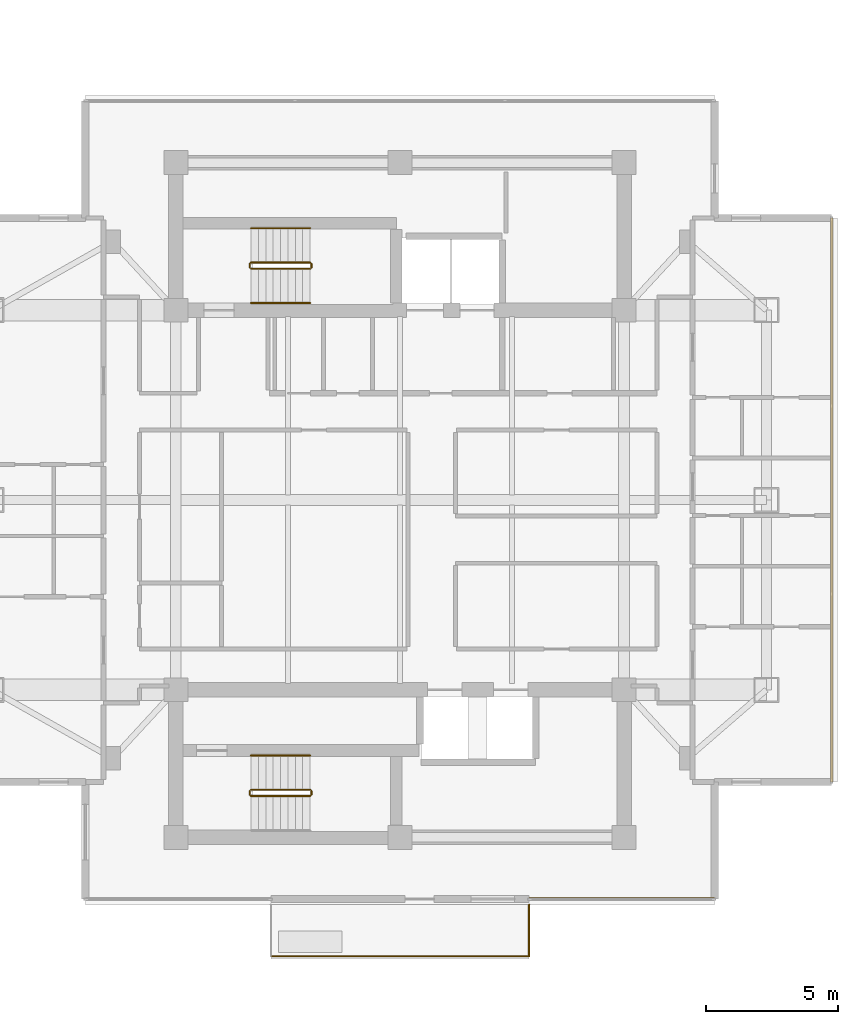
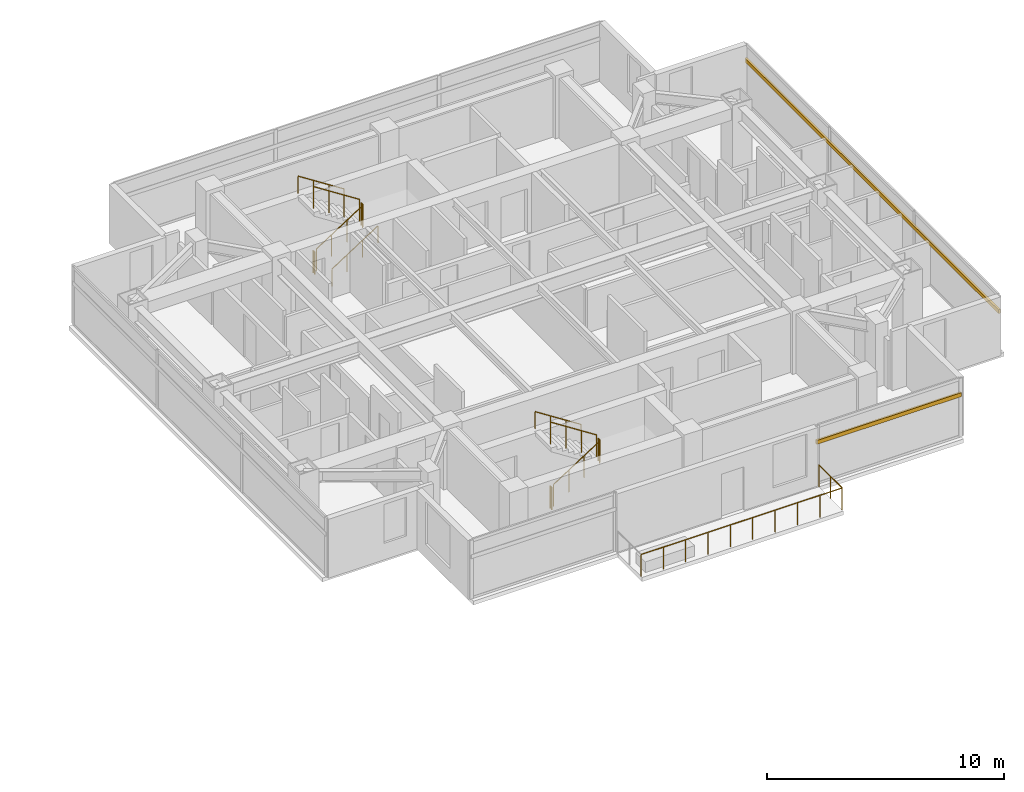
# One storey, part 22 of 23: 13 railings, 2 shading devices.
"""IFC4 building model written with IfcOpenShell, lengths in metres."""

from ifc_helpers import new_model, si_unit, direction, frame, origin, origin_2d, place, context, subcontext, project, spatial, rectangle, circle, extrude, material, material_profile, profile_set, type_object, element, save


model = new_model("IFC4")

# Units and contexts
model_context = context("Model", 3, precision=1e-05, world=origin(), true_north=direction((0.0, 1.0)))
body_context = subcontext(model_context, "Body", "Model", "MODEL_VIEW")
ifc_project = project(units=[si_unit("LENGTHUNIT", "METRE"), si_unit("AREAUNIT", "SQUARE_METRE"), si_unit("VOLUMEUNIT", "CUBIC_METRE"), si_unit("PLANEANGLEUNIT", "RADIAN"), si_unit("MASSUNIT", "GRAM", prefix="KILO")], contexts=[model_context])

# Site, building, storey
site_placement = place(None, origin())
site = spatial("IfcSite", under=ifc_project, at=site_placement, CompositionType="ELEMENT")
building_placement = place(site_placement, origin())
building = spatial("IfcBuilding", under=site, at=building_placement, Name="Mirazonda Arch Towers", CompositionType="ELEMENT")
storey_placement = place(building_placement, frame((0.0, 0.0, 183.64990234375)))
storey = spatial("IfcBuildingStorey", under=building, at=storey_placement, Name="L52", CompositionType="ELEMENT", Elevation=183.64990234375)

# Shading devices
ifc_material_1 = material(Name="Kiln-Fired Architectural Terracotta", Category="masonry")
ifc_material_profile = material_profile(ifc_material_1, rectangle(XDim=0.10009765625, YDim=0.199951171875, at=origin_2d()), Name="TERRA-BAG-100x200")
ifc_profile_set = profile_set([ifc_material_profile], Name="Kiln-Fired Architectural Terracotta")
shading_device_type = type_object("IfcShadingDeviceType", Name="BAGUETTE-2", PredefinedType="USERDEFINED", material=ifc_profile_set)
shading_device_1_placement = place(storey_placement, frame((88.437744140625, 12.861572265625, 2.181640625), z_axis=(-1.0, 0.0, 0.0), x_axis=(0.0, -1.0, 0.0)))
element("IfcShadingDevice", 1, at=shading_device_1_placement, inside=storey, type_object=shading_device_type, Name="L52 Glazed Terracotta Sun-Screen Baguette CW-L52-T2-SA", ObjectType="BAGUETTE", PredefinedType="USERDEFINED", context=body_context, shape_type="SweptSolid", body=[
    extrude(rectangle(XDim=0.10009765625, YDim=0.199951171875, at=origin_2d()), origin(), (0.0, 0.0, 1.0), 7.0478515625),
])
shading_device_2_placement = place(storey_placement, frame((92.87744140625, 17.30126953125, 2.181640625), z_axis=(0.0, 1.0, 0.0), x_axis=(-1.0, 0.0, 0.0)))
element("IfcShadingDevice", 2, at=shading_device_2_placement, inside=storey, type_object=shading_device_type, Name="L52 Glazed Terracotta Sun-Screen Baguette CW-L52-T2-E", ObjectType="BAGUETTE", PredefinedType="USERDEFINED", context=body_context, shape_type="SweptSolid", body=[
    extrude(rectangle(XDim=0.10009765625, YDim=0.199951171875, at=origin_2d()), origin(), (0.0, 0.0, 1.0), 21.3974609375),
])

# Railings
ifc_material_2 = material(Name="Architectural Brushed Steel S355", Category="steel")
railing_type_1 = type_object("IfcRailingType", Name="GUARD-EXT-1150", PredefinedType="GUARDRAIL", material=ifc_material_2)
railing_1_placement = place(storey_placement, frame((81.39990234375, 12.651611328125, 0.0)))
element("IfcRailing", 3, at=railing_1_placement, inside=storey, type_object=railing_type_1, Name="L52 T2 Sky-Terrace Guard 01", PredefinedType="GUARDRAIL", context=body_context, shape_type="SweptSolid", body=[
    extrude(circle(Radius=0.02392578125, at=origin_2d()), frame((0.0, 0.0, 1.1259765625), z_axis=(0.0, -1.0, 0.0), x_axis=(1.0, 0.0, 0.0)), (0.0, 0.0, 1.0), 1.960205078125),
    extrude(circle(Radius=0.02099609375, at=origin_2d()), origin(), (0.0, 0.0, 1.0), 1.101806640625),
    extrude(circle(Radius=0.02099609375, at=origin_2d()), frame((0.0, -0.97998046875, 0.0)), (0.0, 0.0, 1.0), 1.101806640625),
    extrude(circle(Radius=0.02099609375, at=origin_2d()), frame((0.0, -1.960205078125, 0.0)), (0.0, 0.0, 1.0), 1.101806640625),
])
railing_2_placement = place(storey_placement, frame((81.39990234375, 10.69140625, 0.0)))
element("IfcRailing", 4, at=railing_2_placement, inside=storey, type_object=railing_type_1, Name="L52 T2 Sky-Terrace Guard 02", PredefinedType="GUARDRAIL", context=body_context, shape_type="SweptSolid", body=[
    extrude(circle(Radius=0.02392578125, at=origin_2d()), frame((0.0, 0.0, 1.1259765625), z_axis=(-1.0, 0.0, 0.0), x_axis=(0.0, -1.0, 0.0)), (0.0, 0.0, 1.0), 9.7998046875),
    extrude(circle(Radius=0.02099609375, at=origin_2d()), origin(), (0.0, 0.0, 1.0), 1.101806640625),
    extrude(circle(Radius=0.02099609375, at=origin_2d()), frame((-1.0888671875, 0.0, 0.0)), (0.0, 0.0, 1.0), 1.101806640625),
    extrude(circle(Radius=0.02099609375, at=origin_2d()), frame((-2.177734375, 0.0, 0.0)), (0.0, 0.0, 1.0), 1.101806640625),
    extrude(circle(Radius=0.02099609375, at=origin_2d()), frame((-3.2666015625, 0.0, 0.0)), (0.0, 0.0, 1.0), 1.101806640625),
    extrude(circle(Radius=0.02099609375, at=origin_2d()), frame((-4.35546875, 0.0, 0.0)), (0.0, 0.0, 1.0), 1.101806640625),
    extrude(circle(Radius=0.02099609375, at=origin_2d()), frame((-5.4443359375, 0.0, 0.0)), (0.0, 0.0, 1.0), 1.101806640625),
    extrude(circle(Radius=0.02099609375, at=origin_2d()), frame((-6.533203125, 0.0, 0.0)), (0.0, 0.0, 1.0), 1.101806640625),
    extrude(circle(Radius=0.02099609375, at=origin_2d()), frame((-7.6220703125, 0.0, 0.0)), (0.0, 0.0, 1.0), 1.101806640625),
    extrude(circle(Radius=0.02099609375, at=origin_2d()), frame((-8.7109375, 0.0, 0.0)), (0.0, 0.0, 1.0), 1.101806640625),
    extrude(circle(Radius=0.02099609375, at=origin_2d()), frame((-9.7998046875, 0.0, 0.0)), (0.0, 0.0, 1.0), 1.101806640625),
])
railing_type_2 = type_object("IfcRailingType", Name="GUARD-STAIR-1120", PredefinedType="GUARDRAIL", material=ifc_material_2)
railing_3_placement = place(storey_placement, frame((70.85009765625, 36.77001953125, 0.1806640625)))
element("IfcRailing", 5, at=railing_3_placement, inside=storey, type_object=railing_type_2, Name="L52 ST-T2N stair guard 1", PredefinedType="GUARDRAIL", context=body_context, shape_type="SweptSolid", body=[
    extrude(circle(Radius=0.02392578125, at=origin_2d()), frame((0.0, 0.0, 1.1259765625), z_axis=(0.840436612492, 0.0, 0.541909863706), x_axis=(0.0, 1.0, 0.0)), (0.0, 0.0, 1.0), 2.665283203125),
    extrude(circle(Radius=0.02099609375, at=origin_2d()), origin(), (0.0, 0.0, 1.0), 1.101806640625),
    extrude(circle(Radius=0.02099609375, at=origin_2d()), frame((0.74658203125, 0.0, 0.4814453125)), (0.0, 0.0, 1.0), 1.101806640625),
    extrude(circle(Radius=0.02099609375, at=origin_2d()), frame((1.493408203125, 0.0, 0.962890625)), (0.0, 0.0, 1.0), 1.101806640625),
    extrude(circle(Radius=0.02099609375, at=origin_2d()), frame((2.239990234375, 0.0, 1.4443359375)), (0.0, 0.0, 1.0), 1.101806640625),
])
railing_4_placement = place(storey_placement, frame((73.139892578125, 36.820068359375, 1.625)))
element("IfcRailing", 6, at=railing_4_placement, inside=storey, type_object=railing_type_2, Name="L52 ST-T2N stair guard 2", PredefinedType="GUARDRAIL", context=body_context, shape_type="SweptSolid", body=[
    extrude(circle(Radius=0.02392578125, at=origin_2d()), frame((0.0, 0.0, 1.1259765625), z_axis=(0.0, 1.0, 0.0), x_axis=(-1.0, 0.0, 0.0)), (0.0, 0.0, 1.0), 0.139892578125),
    extrude(circle(Radius=0.02099609375, at=origin_2d()), origin(), (0.0, 0.0, 1.0), 1.101806640625),
    extrude(circle(Radius=0.02099609375, at=origin_2d()), frame((0.0, 0.139892578125, 0.0)), (0.0, 0.0, 1.0), 1.101806640625),
])
railing_5_placement = place(storey_placement, frame((73.090087890625, 37.010009765625, 1.8056640625)))
element("IfcRailing", 7, at=railing_5_placement, inside=storey, type_object=railing_type_2, Name="L52 ST-T2N stair guard 3", PredefinedType="GUARDRAIL", context=body_context, shape_type="SweptSolid", body=[
    extrude(circle(Radius=0.02392578125, at=origin_2d()), frame((0.0, 0.0, 1.1259765625), z_axis=(-0.840436612492, 0.0, 0.541909863706), x_axis=(0.0, -1.0, 0.0)), (0.0, 0.0, 1.0), 2.665283203125),
    extrude(circle(Radius=0.02099609375, at=origin_2d()), origin(), (0.0, 0.0, 1.0), 1.101806640625),
    extrude(circle(Radius=0.02099609375, at=origin_2d()), frame((-0.74658203125, 0.0, 0.4814453125)), (0.0, 0.0, 1.0), 1.101806640625),
    extrude(circle(Radius=0.02099609375, at=origin_2d()), frame((-1.493408203125, 0.0, 0.962890625)), (0.0, 0.0, 1.0), 1.101806640625),
    extrude(circle(Radius=0.02099609375, at=origin_2d()), frame((-2.239990234375, 0.0, 1.4443359375)), (0.0, 0.0, 1.0), 1.101806640625),
])
railing_6_placement = place(storey_placement, frame((70.800048828125, 36.820068359375, 0.0)))
element("IfcRailing", 8, at=railing_6_placement, inside=storey, type_object=railing_type_2, Name="L52 ST-T2N stair guard 4", PredefinedType="GUARDRAIL", context=body_context, shape_type="SweptSolid", body=[
    extrude(circle(Radius=0.02392578125, at=origin_2d()), frame((0.0, 0.0, 1.1259765625), z_axis=(0.0, 1.0, 0.0), x_axis=(-1.0, 0.0, 0.0)), (0.0, 0.0, 1.0), 0.139892578125),
    extrude(circle(Radius=0.02099609375, at=origin_2d()), origin(), (0.0, 0.0, 1.0), 1.101806640625),
    extrude(circle(Radius=0.02099609375, at=origin_2d()), frame((0.0, 0.139892578125, 0.0)), (0.0, 0.0, 1.0), 1.101806640625),
])
railing_7_placement = place(storey_placement, frame((70.85009765625, 16.77001953125, 0.1806640625)))
element("IfcRailing", 9, at=railing_7_placement, inside=storey, type_object=railing_type_2, Name="L52 ST-T2S stair guard 1", PredefinedType="GUARDRAIL", context=body_context, shape_type="SweptSolid", body=[
    extrude(circle(Radius=0.02392578125, at=origin_2d()), frame((0.0, 0.0, 1.1259765625), z_axis=(0.840436612492, 0.0, 0.541909863706), x_axis=(0.0, 1.0, 0.0)), (0.0, 0.0, 1.0), 2.665283203125),
    extrude(circle(Radius=0.02099609375, at=origin_2d()), origin(), (0.0, 0.0, 1.0), 1.101806640625),
    extrude(circle(Radius=0.02099609375, at=origin_2d()), frame((0.74658203125, 0.0, 0.4814453125)), (0.0, 0.0, 1.0), 1.101806640625),
    extrude(circle(Radius=0.02099609375, at=origin_2d()), frame((1.493408203125, 0.0, 0.962890625)), (0.0, 0.0, 1.0), 1.101806640625),
    extrude(circle(Radius=0.02099609375, at=origin_2d()), frame((2.239990234375, 0.0, 1.4443359375)), (0.0, 0.0, 1.0), 1.101806640625),
])
railing_8_placement = place(storey_placement, frame((73.139892578125, 16.820068359375, 1.625)))
element("IfcRailing", 10, at=railing_8_placement, inside=storey, type_object=railing_type_2, Name="L52 ST-T2S stair guard 2", PredefinedType="GUARDRAIL", context=body_context, shape_type="SweptSolid", body=[
    extrude(circle(Radius=0.02392578125, at=origin_2d()), frame((0.0, 0.0, 1.1259765625), z_axis=(0.0, 1.0, 0.0), x_axis=(-1.0, 0.0, 0.0)), (0.0, 0.0, 1.0), 0.139892578125),
    extrude(circle(Radius=0.02099609375, at=origin_2d()), origin(), (0.0, 0.0, 1.0), 1.101806640625),
    extrude(circle(Radius=0.02099609375, at=origin_2d()), frame((0.0, 0.139892578125, 0.0)), (0.0, 0.0, 1.0), 1.101806640625),
])
railing_9_placement = place(storey_placement, frame((73.090087890625, 17.010009765625, 1.8056640625)))
element("IfcRailing", 11, at=railing_9_placement, inside=storey, type_object=railing_type_2, Name="L52 ST-T2S stair guard 3", PredefinedType="GUARDRAIL", context=body_context, shape_type="SweptSolid", body=[
    extrude(circle(Radius=0.02392578125, at=origin_2d()), frame((0.0, 0.0, 1.1259765625), z_axis=(-0.840436612492, 0.0, 0.541909863706), x_axis=(0.0, -1.0, 0.0)), (0.0, 0.0, 1.0), 2.665283203125),
    extrude(circle(Radius=0.02099609375, at=origin_2d()), origin(), (0.0, 0.0, 1.0), 1.101806640625),
    extrude(circle(Radius=0.02099609375, at=origin_2d()), frame((-0.74658203125, 0.0, 0.4814453125)), (0.0, 0.0, 1.0), 1.101806640625),
    extrude(circle(Radius=0.02099609375, at=origin_2d()), frame((-1.493408203125, 0.0, 0.962890625)), (0.0, 0.0, 1.0), 1.101806640625),
    extrude(circle(Radius=0.02099609375, at=origin_2d()), frame((-2.239990234375, 0.0, 1.4443359375)), (0.0, 0.0, 1.0), 1.101806640625),
])
railing_10_placement = place(storey_placement, frame((70.800048828125, 16.820068359375, 0.0)))
element("IfcRailing", 12, at=railing_10_placement, inside=storey, type_object=railing_type_2, Name="L52 ST-T2S stair guard 4", PredefinedType="GUARDRAIL", context=body_context, shape_type="SweptSolid", body=[
    extrude(circle(Radius=0.02392578125, at=origin_2d()), frame((0.0, 0.0, 1.1259765625), z_axis=(0.0, 1.0, 0.0), x_axis=(-1.0, 0.0, 0.0)), (0.0, 0.0, 1.0), 0.139892578125),
    extrude(circle(Radius=0.02099609375, at=origin_2d()), origin(), (0.0, 0.0, 1.0), 1.101806640625),
    extrude(circle(Radius=0.02099609375, at=origin_2d()), frame((0.0, 0.139892578125, 0.0)), (0.0, 0.0, 1.0), 1.101806640625),
])
railing_type_3 = type_object("IfcRailingType", Name="HANDRAIL-915", PredefinedType="HANDRAIL", material=ifc_material_2)
railing_11_placement = place(storey_placement, frame((70.85009765625, 35.469970703125, 0.1806640625)))
element("IfcRailing", 13, at=railing_11_placement, inside=storey, type_object=railing_type_3, Name="L52 ST-T2N stair handrail 1", PredefinedType="HANDRAIL", context=body_context, shape_type="SweptSolid", body=[
    extrude(circle(Radius=0.02392578125, at=origin_2d()), frame((0.0, 0.0, 0.8759765625), z_axis=(0.840436612492, 0.0, 0.541909863706), x_axis=(0.0, 1.0, 0.0)), (0.0, 0.0, 1.0), 2.665283203125),
    extrude(circle(Radius=0.02099609375, at=origin_2d()), origin(), (0.0, 0.0, 1.0), 0.851806640625),
    extrude(circle(Radius=0.02099609375, at=origin_2d()), frame((0.74658203125, 0.0, 0.4814453125)), (0.0, 0.0, 1.0), 0.851806640625),
    extrude(circle(Radius=0.02099609375, at=origin_2d()), frame((1.493408203125, 0.0, 0.962890625)), (0.0, 0.0, 1.0), 0.851806640625),
    extrude(circle(Radius=0.02099609375, at=origin_2d()), frame((2.239990234375, 0.0, 1.4443359375)), (0.0, 0.0, 1.0), 0.851806640625),
])
for number, where, name in (
    (14, (73.090087890625, 38.31005859375, 1.8056640625), "L52 ST-T2N stair handrail 2"),
    (15, (73.090087890625, 18.31005859375, 1.8056640625), "L52 ST-T2S stair handrail 2"),
):
    element("IfcRailing", number, at=place(storey_placement, frame(where)), inside=storey, type_object=railing_type_3, Name=name, PredefinedType="HANDRAIL", context=body_context, shape_type="SweptSolid", body=[
        extrude(circle(Radius=0.02392578125, at=origin_2d()), frame((0.0, 0.0, 0.8759765625), z_axis=(-0.840436612492, 0.0, 0.541909863706), x_axis=(0.0, -1.0, 0.0)), (0.0, 0.0, 1.0), 2.665283203125),
        extrude(circle(Radius=0.02099609375, at=origin_2d()), origin(), (0.0, 0.0, 1.0), 0.851806640625),
        extrude(circle(Radius=0.02099609375, at=origin_2d()), frame((-0.74658203125, 0.0, 0.4814453125)), (0.0, 0.0, 1.0), 0.851806640625),
        extrude(circle(Radius=0.02099609375, at=origin_2d()), frame((-1.493408203125, 0.0, 0.962890625)), (0.0, 0.0, 1.0), 0.851806640625),
        extrude(circle(Radius=0.02099609375, at=origin_2d()), frame((-2.239990234375, 0.0, 1.4443359375)), (0.0, 0.0, 1.0), 0.851806640625),
    ])

save(model, "model.ifc")
